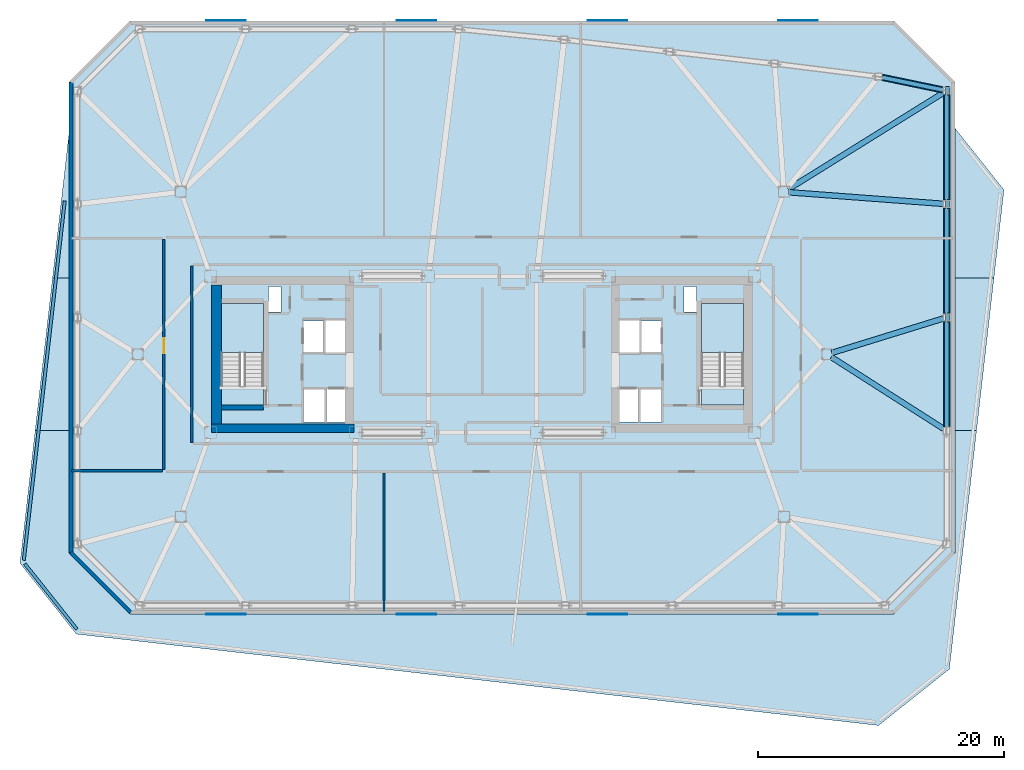
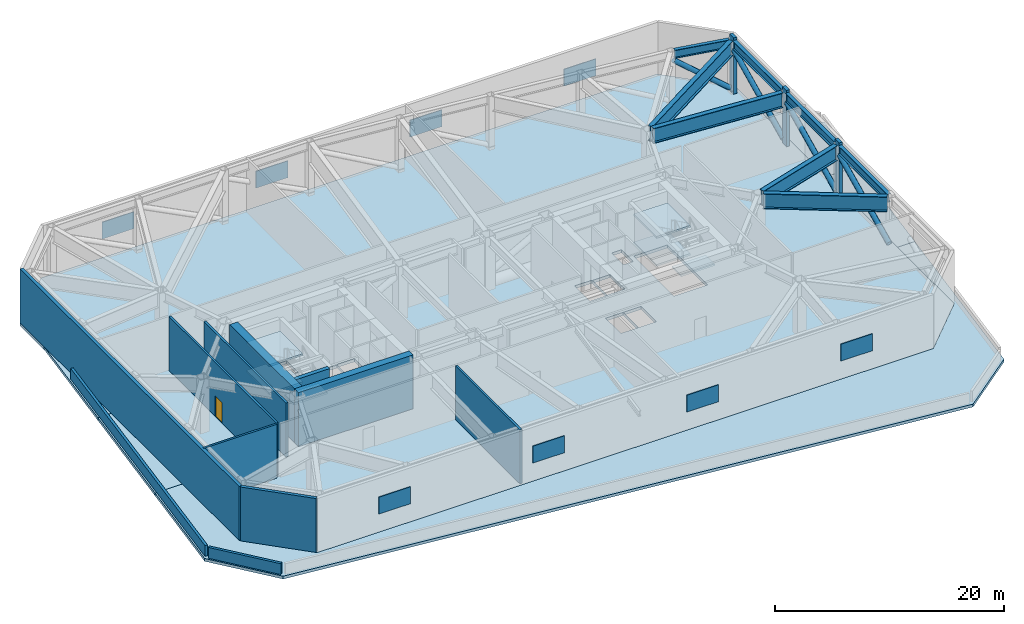
# One storey, part 3 of 12: 12 slabs, 11 walls, 8 beams, 8 plates, 7 members, 1 door, 1 opening, 2 elements without a shape of their own.
"""IFC4 building model written with IfcOpenShell, lengths in metres."""

from ifc_helpers import new_model, si_unit, direction, frame, frame_2d, origin, origin_2d, place, context, subcontext, project, spatial, polyline, rectangle, hollow_circle, i_section, outline, extrude, material, layer, layer_set, material_profile, profile_set, type_object, element, fill, aggregate, save


model = new_model("IFC4")

# Units and contexts
model_context = context("Model", 3, precision=1e-05, world=origin(), true_north=direction((0.0, 1.0)))
body_context = subcontext(model_context, "Body", "Model", "MODEL_VIEW")
ifc_project = project(units=[si_unit("LENGTHUNIT", "METRE"), si_unit("AREAUNIT", "SQUARE_METRE"), si_unit("VOLUMEUNIT", "CUBIC_METRE"), si_unit("PLANEANGLEUNIT", "RADIAN"), si_unit("MASSUNIT", "GRAM", prefix="KILO")], contexts=[model_context])

# Site, building, storey
site_placement = place(None, origin())
site = spatial("IfcSite", under=ifc_project, at=site_placement, CompositionType="ELEMENT")
building_placement = place(site_placement, origin())
building = spatial("IfcBuilding", under=site, at=building_placement, Name="Tavrogorsk Clinical Tower", CompositionType="ELEMENT")
storey_placement = place(building_placement, frame((0.0, 0.0, 146.199951171875)))
storey = spatial("IfcBuildingStorey", under=building, at=storey_placement, Name="L33", CompositionType="ELEMENT", Elevation=146.199951171875)

# Members
ifc_material_1 = material(Name="Structural steel S440", Category="steel")
ifc_material_profile_1 = material_profile(ifc_material_1, hollow_circle(Radius=0.25390625, WallThickness=0.02001953125, at=origin_2d()), Name="CHS-508x20")
ifc_profile_set_1 = profile_set([ifc_material_profile_1], Name="Structural steel S440")
member_type_1 = type_object("IfcMemberType", Name="ExoBrace_CHS508", PredefinedType="BRACE", material=ifc_profile_set_1)
for number, where, z_axis, x_axis, name in (
    (1, (37.719970703125, -5.9326171875, 0.48388671875), (0.0, 0.900797789512, 0.434238808043), (-1.0, 0.0, 0.0), "L33 Exoskeleton Belt Diagonal E2-E3"),
    (2, (37.719970703125, 3.27734375, 0.48388671875), (0.0, 0.900797789512, 0.434238808043), (-1.0, 0.0, 0.0), "L33 Exoskeleton Belt Diagonal E3-E4"),
):
    element("IfcMember", number, at=place(storey_placement, frame(where, z_axis=z_axis, x_axis=x_axis)), inside=storey, type_object=member_type_1, Name=name, PredefinedType="BRACE", context=body_context, shape_type="SweptSolid", body=[
        extrude(hollow_circle(Radius=0.25390625, WallThickness=0.02001953125, at=origin_2d()), origin(), (0.0, 0.0, 1.0), 9.6083984375),
    ])
member_1_placement = place(storey_placement, frame((37.719970703125, 12.487548828125, 0.48388671875), z_axis=(0.0, 0.900792998152, 0.43424874724), x_axis=(-1.0, 0.0, 0.0)))
element("IfcMember", 3, at=member_1_placement, inside=storey, type_object=member_type_1, Name="L33 Exoskeleton Belt Diagonal E4-E5", PredefinedType="BRACE", context=body_context, shape_type="SweptSolid", body=[
    extrude(hollow_circle(Radius=0.25390625, WallThickness=0.02001953125, at=origin_2d()), origin(), (0.0, 0.0, 1.0), 9.608154296875),
])
member_2_placement = place(storey_placement, frame((37.48291015625, 21.46923828125, 0.54052734375), z_axis=(-0.76971294704, 0.159534282749, 0.618134930082), x_axis=(-0.202951231302, -0.979188846808, 0.0)))
element("IfcMember", 4, at=member_2_placement, inside=storey, type_object=member_type_1, Name="L33 Exoskeleton Belt Diagonal E5-N1", PredefinedType="BRACE", context=body_context, shape_type="SweptSolid", body=[
    extrude(hollow_circle(Radius=0.25390625, WallThickness=0.02001953125, at=origin_2d()), origin(), (0.0, 0.0, 1.0), 6.566650390625),
])
ifc_material_2 = material(Name="Precast concrete B45 with limestone cladding", Category="masonry")
ifc_material_profile_2 = material_profile(ifc_material_2, rectangle(XDim=0.320068359375, YDim=0.719970703125, at=origin_2d()), Name="LIMESTONE-FIN-320x720")
ifc_profile_set_2 = profile_set([ifc_material_profile_2], Name="Precast concrete B45 with limestone cladding")
member_type_2 = type_object("IfcMemberType", Name="LimestonePleatFin_320x720", PredefinedType="USERDEFINED", material=ifc_profile_set_2)
for number, where, z_axis, x_axis, name in (
    (5, (37.800048828125, 3.0, 0.0), (0.0, 0.0, 1.0), (1.0, 0.0, 0.0), "L33 E Pleated Stone Fin 2"),
    (6, (37.800048828125, 12.2099609375, 0.0), (0.0, 0.0, 1.0), (1.0, 0.0, 0.0), "L33 E Pleated Stone Fin 3"),
    (7, (37.800048828125, 21.419921875, 0.0), (0.0, 0.0, 1.0), (1.0, 0.0, 0.0), "L33 E Pleated Stone Fin 4"),
):
    element("IfcMember", number, at=place(storey_placement, frame(where, z_axis=z_axis, x_axis=x_axis)), inside=storey, type_object=member_type_2, Name=name, ObjectType="FIN", PredefinedType="USERDEFINED", context=body_context, shape_type="SweptSolid", body=[
        extrude(rectangle(XDim=0.320068359375, YDim=0.719970703125, at=origin_2d()), origin(), (0.0, 0.0, 1.0), 6.0),
    ])

# Beams
ifc_material_3 = material(Name="Structural steel S440", Category="steel")
ifc_material_profile_3 = material_profile(ifc_material_3, i_section(OverallWidth=0.449951171875, OverallDepth=1.60009765625, WebThickness=0.031982421875, FlangeThickness=0.050048828125, at=origin_2d()), Name="DK-1600x450x32x50")
ifc_profile_set_3 = profile_set([ifc_material_profile_3], Name="Structural steel S440")
beam_type_1 = type_object("IfcBeamType", Name="TransferGirder_DK1600", PredefinedType="USERDEFINED", material=ifc_profile_set_3)
beam_1_placement = place(storey_placement, frame((28.345458984375, -0.220703125, 4.93994140625), z_axis=(0.842695406435, -0.538390612821, 0.0), x_axis=(0.538390612821, 0.842695406435, 0.0)))
element("IfcBeam", 8, at=beam_1_placement, inside=storey, type_object=beam_type_1, Name="L33 Radial Floor Beam E2", ObjectType="GIRDER", PredefinedType="USERDEFINED", context=body_context, shape_type="SweptSolid", body=[
    extrude(i_section(OverallWidth=0.449951171875, OverallDepth=1.60009765625, WebThickness=0.031982421875, FlangeThickness=0.050048828125, at=origin_2d()), origin(), (0.0, 0.0, 1.0), 10.81640625),
])
beam_2_placement = place(storey_placement, frame((28.391845703125, 0.120849609375, 4.93994140625), z_axis=(0.955521252098, 0.294922255499, 0.0), x_axis=(-0.294922255499, 0.955521252098, 0.0)))
element("IfcBeam", 9, at=beam_2_placement, inside=storey, type_object=beam_type_1, Name="L33 Radial Floor Beam E3", ObjectType="GIRDER", PredefinedType="USERDEFINED", context=body_context, shape_type="SweptSolid", body=[
    extrude(i_section(OverallWidth=0.449951171875, OverallDepth=1.60009765625, WebThickness=0.031982421875, FlangeThickness=0.050048828125, at=origin_2d()), origin(), (0.0, 0.0, 1.0), 9.454345703125),
])
beam_3_placement = place(storey_placement, frame((24.908935546875, 13.16943359375, 4.93994140625), z_axis=(0.99720685587, -0.074689267009, 0.0), x_axis=(0.074689267009, 0.99720685587, 0.0)))
element("IfcBeam", 10, at=beam_3_placement, inside=storey, type_object=beam_type_1, Name="L33 Radial Floor Beam E4", ObjectType="GIRDER", PredefinedType="USERDEFINED", context=body_context, shape_type="SweptSolid", body=[
    extrude(i_section(OverallWidth=0.449951171875, OverallDepth=1.60009765625, WebThickness=0.031982421875, FlangeThickness=0.050048828125, at=origin_2d()), origin(), (0.0, 0.0, 1.0), 12.538818359375),
])
beam_4_placement = place(storey_placement, frame((24.84814453125, 13.41650390625, 4.93994140625), z_axis=(0.849226346116, 0.528028988846, 0.0), x_axis=(-0.528028988846, 0.849226346116, 0.0)))
element("IfcBeam", 11, at=beam_4_placement, inside=storey, type_object=beam_type_1, Name="L33 Radial Floor Beam E5", ObjectType="GIRDER", PredefinedType="USERDEFINED", context=body_context, shape_type="SweptSolid", body=[
    extrude(i_section(OverallWidth=0.449951171875, OverallDepth=1.60009765625, WebThickness=0.031982421875, FlangeThickness=0.050048828125, at=origin_2d()), origin(), (0.0, 0.0, 1.0), 14.84912109375),
])
ifc_material_4 = material(Name="Structural steel S440", Category="steel")
ifc_material_profile_4 = material_profile(ifc_material_4, i_section(OverallWidth=0.360107421875, OverallDepth=0.89990234375, WebThickness=0.02392578125, FlangeThickness=0.0400390625, at=origin_2d()), Name="DK-900x360x24x40")
ifc_profile_set_4 = profile_set([ifc_material_profile_4], Name="Structural steel S440")
beam_type_2 = type_object("IfcBeamType", Name="TransferGirder_DK900", PredefinedType="USERDEFINED", material=ifc_profile_set_4)
for number, where, z_axis, x_axis, name in (
    (12, (37.719970703125, -5.902099609375, 5.2900390625), (0.0, 1.0, 0.0), (-1.0, 0.0, 0.0), "L33 Perimeter Spandrel E2-E3"),
    (13, (37.719970703125, 3.30810546875, 5.2900390625), (0.0, 1.0, 0.0), (-1.0, 0.0, 0.0), "L33 Perimeter Spandrel E3-E4"),
    (14, (37.719970703125, 12.51806640625, 5.2900390625), (0.0, 1.0, 0.0), (-1.0, 0.0, 0.0), "L33 Perimeter Spandrel E4-E5"),
):
    element("IfcBeam", number, at=place(storey_placement, frame(where, z_axis=z_axis, x_axis=x_axis)), inside=storey, type_object=beam_type_2, Name=name, ObjectType="GIRDER", PredefinedType="USERDEFINED", context=body_context, shape_type="SweptSolid", body=[
        extrude(i_section(OverallWidth=0.360107421875, OverallDepth=0.89990234375, WebThickness=0.02392578125, FlangeThickness=0.0400390625, at=origin_2d()), origin(), (0.0, 0.0, 1.0), 8.593994140625),
    ])
beam_5_placement = place(storey_placement, frame((37.41845703125, 21.482421875, 5.2900390625), z_axis=(-0.979184643877, 0.202971508337, 0.0), x_axis=(-0.202971508337, -0.979184643877, 0.0)))
element("IfcBeam", 15, at=beam_5_placement, inside=storey, type_object=beam_type_2, Name="L33 Perimeter Spandrel E5-N1", ObjectType="GIRDER", PredefinedType="USERDEFINED", context=body_context, shape_type="SweptSolid", body=[
    extrude(i_section(OverallWidth=0.360107421875, OverallDepth=0.89990234375, WebThickness=0.02392578125, FlangeThickness=0.0400390625, at=origin_2d()), origin(), (0.0, 0.0, 1.0), 5.0302734375),
])

# Plates
ifc_material_5 = material(Name="Powder-coated aluminium acoustic louvre", Category="aluminium")
ifc_layer_1 = layer(ifc_material_5, 0.074951171875)
ifc_layer_set_1 = layer_set([ifc_layer_1], Name="Powder-coated aluminium acoustic louvre")
plate_type = type_object("IfcPlateType", Name="AcousticPlantLouvre_75", PredefinedType="SHEET", material=ifc_layer_set_1)
for number, where, z_axis, x_axis, name in (
    (16, (-20.85009765625, -21.1298828125, 1.97021484375), (0.0, 0.0, 1.0), (1.0, 0.0, 0.0), "L33 Plant Acoustic Louvre S-1-1"),
    (17, (-5.35009765625, -21.1298828125, 1.97021484375), (0.0, 0.0, 1.0), (1.0, 0.0, 0.0), "L33 Plant Acoustic Louvre S-1-2"),
    (18, (10.14990234375, -21.1298828125, 1.97021484375), (0.0, 0.0, 1.0), (1.0, 0.0, 0.0), "L33 Plant Acoustic Louvre S-1-3"),
    (19, (25.64990234375, -21.1298828125, 1.97021484375), (0.0, 0.0, 1.0), (1.0, 0.0, 0.0), "L33 Plant Acoustic Louvre S-1-4"),
    (20, (25.64990234375, 27.1298828125, 1.97021484375), (0.0, 0.0, 1.0), (-1.0, 0.0, 0.0), "L33 Plant Acoustic Louvre N-1-1"),
    (21, (10.14990234375, 27.1298828125, 1.97021484375), (0.0, 0.0, 1.0), (-1.0, 0.0, 0.0), "L33 Plant Acoustic Louvre N-1-2"),
    (22, (-5.35009765625, 27.1298828125, 1.97021484375), (0.0, 0.0, 1.0), (-1.0, 0.0, 0.0), "L33 Plant Acoustic Louvre N-1-3"),
    (23, (-20.85009765625, 27.1298828125, 1.97021484375), (0.0, 0.0, 1.0), (-1.0, 0.0, 0.0), "L33 Plant Acoustic Louvre N-1-4"),
):
    element("IfcPlate", number, at=place(storey_placement, frame(where, z_axis=z_axis, x_axis=x_axis)), inside=storey, type_object=plate_type, Name=name, PredefinedType="SHEET", context=body_context, shape_type="SweptSolid", body=[
        extrude(rectangle(XDim=3.199951171875, YDim=0.074951171875, at=origin_2d()), origin(), (0.0, 0.0, 1.0), 1.800048828125),
    ])

# Slabs
ifc_material_6 = material(Name="Concrete B60", Category="concrete")
ifc_layer_2 = layer(ifc_material_6, 0.300048828125)
ifc_layer_set_2 = layer_set([ifc_layer_2], Name="Concrete B60")
slab_type_1 = type_object("IfcSlabType", Name="CrownTopRoofSlab_300", PredefinedType="ROOF", material=ifc_layer_set_2)
slab_1_placement = place(storey_placement, frame((0.0, 0.0, -0.300048828125)))
element("IfcSlab", 24, at=slab_1_placement, inside=storey, type_object=slab_type_1, Name="L33 Setback Roof Slab 1", PredefinedType="ROOF", context=body_context, shape_type="SweptSolid", body=[
    extrude(outline(polyline([(37.93701171875, -25.57568359375), (32.181640625, -30.153564453125), (-32.99658203125, -22.7275390625), (-37.574462890625, -16.972412109375), (-36.34716796875, -6.199951171875), (-33.60009765625, -6.199951171875), (-33.60009765625, -16.10009765625), (-28.60009765625, -21.10009765625), (33.39990234375, -21.10009765625), (38.39990234375, -16.10009765625), (38.39990234375, -6.199951171875), (40.14453125, -6.199951171875), (37.93701171875, -25.57568359375)])), origin(), (0.0, 0.0, 1.0), 0.300048828125),
])
slab_2_placement = place(storey_placement, frame((0.0, 0.0, -0.300048828125)))
element("IfcSlab", 25, at=slab_2_placement, inside=storey, type_object=slab_type_1, Name="L33 Setback Roof Slab 2", PredefinedType="ROOF", context=body_context, shape_type="SweptSolid", body=[
    extrude(outline(polyline([(41.557373046875, 6.199951171875), (38.39990234375, 6.199951171875), (38.39990234375, 18.368896484375), (42.37451171875, 13.372314453125), (41.557373046875, 6.199951171875)])), origin(), (0.0, 0.0, 1.0), 0.300048828125),
])
slab_3_placement = place(storey_placement, frame((0.0, 0.0, -0.300048828125)))
element("IfcSlab", 26, at=slab_3_placement, inside=storey, type_object=slab_type_1, Name="L33 Setback Roof Slab 3", PredefinedType="ROOF", context=body_context, shape_type="SweptSolid", body=[
    extrude(outline(polyline([(-33.60009765625, 17.91162109375), (-33.60009765625, 6.199951171875), (-34.934326171875, 6.199951171875), (-33.60009765625, 17.91162109375)])), origin(), (0.0, 0.0, 1.0), 0.300048828125),
])
slab_4_placement = place(storey_placement, frame((0.0, 0.0, -0.300048828125)))
element("IfcSlab", 27, at=slab_4_placement, inside=storey, type_object=slab_type_1, Name="L33 Setback Roof Slab 4", PredefinedType="ROOF", context=body_context, shape_type="SweptSolid", body=[
    extrude(outline(polyline([(-34.934326171875, 6.199951171875), (-33.60009765625, 6.199951171875), (-33.60009765625, -6.199951171875), (-36.34716796875, -6.199951171875), (-34.934326171875, 6.199951171875)])), origin(), (0.0, 0.0, 1.0), 0.300048828125),
])
slab_5_placement = place(storey_placement, frame((0.0, 0.0, -0.300048828125)))
element("IfcSlab", 28, at=slab_5_placement, inside=storey, type_object=slab_type_1, Name="L33 Setback Roof Slab 5", PredefinedType="ROOF", context=body_context, shape_type="SweptSolid", body=[
    extrude(outline(polyline([(40.14453125, -6.199951171875), (38.39990234375, -6.199951171875), (38.39990234375, 6.199951171875), (41.557373046875, 6.199951171875), (40.14453125, -6.199951171875)])), origin(), (0.0, 0.0, 1.0), 0.300048828125),
])
ifc_material_7 = material(Name="Concrete B60", Category="concrete")
ifc_layer_3 = layer(ifc_material_7, 0.320068359375)
ifc_layer_set_3 = layer_set([ifc_layer_3], Name="Concrete B60")
slab_type_2 = type_object("IfcSlabType", Name="PlantRefugeSlab_320", PredefinedType="FLOOR", material=ifc_layer_set_3)
slab_6_placement = place(storey_placement, frame((0.0, 0.0, -0.320068359375)))
element("IfcSlab", 29, at=slab_6_placement, inside=storey, type_object=slab_type_2, Name="L33 Structural Slab", PredefinedType="FLOOR", context=body_context, shape_type="SweptSolid", body=[
    extrude(outline(polyline([(-28.60009765625, -21.10009765625), (33.39990234375, -21.10009765625), (38.39990234375, -16.10009765625), (38.39990234375, 22.10009765625), (33.39990234375, 27.10009765625), (-28.60009765625, 27.10009765625), (-33.60009765625, 22.10009765625), (-33.60009765625, -16.10009765625), (-28.60009765625, -21.10009765625)]), holes=[polyline([(-17.800048828125, -2.8798828125), (-17.800048828125, 4.125), (-21.199951171875, 4.125), (-21.199951171875, -2.8798828125), (-17.800048828125, -2.8798828125)]), polyline([(21.199951171875, -2.8798828125), (21.199951171875, 4.125), (17.800048828125, 4.125), (17.800048828125, -2.8798828125), (21.199951171875, -2.8798828125)]), polyline([(-14.6201171875, 0.169921875), (-12.860107421875, 0.169921875), (-12.860107421875, 2.72998046875), (-14.6201171875, 2.72998046875), (-14.6201171875, 0.169921875)]), polyline([(-14.530029296875, -5.47998046875), (-12.77001953125, -5.47998046875), (-12.77001953125, -2.820068359375), (-14.530029296875, -2.820068359375), (-14.530029296875, -5.47998046875)]), polyline([(-12.72998046875, -5.47998046875), (-10.969970703125, -5.47998046875), (-10.969970703125, -2.820068359375), (-12.72998046875, -2.820068359375), (-12.72998046875, -5.47998046875)]), polyline([(-12.840087890625, 0.1201171875), (-11.080078125, 0.1201171875), (-11.080078125, 2.780029296875), (-12.840087890625, 2.780029296875), (-12.840087890625, 0.1201171875)]), polyline([(12.860107421875, 0.169921875), (14.6201171875, 0.169921875), (14.6201171875, 2.72998046875), (12.860107421875, 2.72998046875), (12.860107421875, 0.169921875)]), polyline([(12.77001953125, -5.47998046875), (14.530029296875, -5.47998046875), (14.530029296875, -2.820068359375), (12.77001953125, -2.820068359375), (12.77001953125, -5.47998046875)]), polyline([(10.969970703125, -5.47998046875), (12.72998046875, -5.47998046875), (12.72998046875, -2.820068359375), (10.969970703125, -2.820068359375), (10.969970703125, -5.47998046875)]), polyline([(11.080078125, 0.1201171875), (12.840087890625, 0.1201171875), (12.840087890625, 2.780029296875), (11.080078125, 2.780029296875), (11.080078125, 0.1201171875)]), polyline([(-17.3798828125, 3.449951171875), (-16.3798828125, 3.449951171875), (-16.3798828125, 5.5), (-17.3798828125, 5.5), (-17.3798828125, 3.449951171875)]), polyline([(16.3798828125, 3.449951171875), (17.3798828125, 3.449951171875), (17.3798828125, 5.5), (16.3798828125, 5.5), (16.3798828125, 3.449951171875)])]), origin(), (0.0, 0.0, 1.0), 0.320068359375),
])

# Stair, slabs
ifc_material_8 = material(Name="Concrete B60", Category="concrete")
stair_type = type_object("IfcStairType", Name="CoreStairAssembly", PredefinedType="HALF_TURN_STAIR", material=ifc_material_8)
stair_1_placement = place(storey_placement, origin())
stair_1 = element("IfcStair", 30, at=stair_1_placement, inside=storey, type_object=stair_type, Name="L33 ST-W", PredefinedType="HALF_TURN_STAIR")
ifc_material_9 = material(Name="Concrete B60", Category="concrete")
ifc_layer_4 = layer(ifc_material_9, 0.199951171875)
ifc_layer_set_4 = layer_set([ifc_layer_4], Name="Concrete B60")
slab_type_3 = type_object("IfcSlabType", Name="StairLanding_200", PredefinedType="LANDING", material=ifc_layer_set_4)
slab_7_placement = place(storey_placement, frame((0.0, 0.0, 1.300048828125)))
slab_7 = element("IfcSlab", 31, at=slab_7_placement, type_object=slab_type_3, Name="ST-W landing 1", PredefinedType="LANDING", context=body_context, shape_type="SweptSolid", body=[
    extrude(outline(polyline([(-17.800048828125, 0.14501953125), (-17.800048828125, 4.125), (-21.199951171875, 4.125), (-21.199951171875, 0.14501953125), (-17.800048828125, 0.14501953125)])), origin(), (0.0, 0.0, 1.0), 0.199951171875),
])
slab_8_placement = place(storey_placement, frame((0.0, 0.0, 2.800048828125)))
slab_8 = element("IfcSlab", 32, at=slab_8_placement, type_object=slab_type_3, Name="ST-W landing 2", PredefinedType="LANDING", context=body_context, shape_type="SweptSolid", body=[
    extrude(outline(polyline([(-17.800048828125, -4.125), (-17.800048828125, -2.574951171875), (-21.199951171875, -2.574951171875), (-21.199951171875, -4.125), (-17.800048828125, -4.125)])), origin(), (0.0, 0.0, 1.0), 0.199951171875),
])
slab_9_placement = place(storey_placement, frame((0.0, 0.0, 4.300048828125)))
slab_9 = element("IfcSlab", 33, at=slab_9_placement, type_object=slab_type_3, Name="ST-W landing 3", PredefinedType="LANDING", context=body_context, shape_type="SweptSolid", body=[
    extrude(outline(polyline([(-17.800048828125, 0.14501953125), (-17.800048828125, 4.125), (-21.199951171875, 4.125), (-21.199951171875, 0.14501953125), (-17.800048828125, 0.14501953125)])), origin(), (0.0, 0.0, 1.0), 0.199951171875),
])
aggregate(stair_1, [slab_7, slab_8, slab_9])

stair_2_placement = place(storey_placement, origin())
stair_2 = element("IfcStair", 34, at=stair_2_placement, inside=storey, type_object=stair_type, Name="L33 ST-E", PredefinedType="HALF_TURN_STAIR")
slab_10_placement = place(storey_placement, frame((0.0, 0.0, 1.300048828125)))
slab_10 = element("IfcSlab", 35, at=slab_10_placement, type_object=slab_type_3, Name="ST-E landing 1", PredefinedType="LANDING", context=body_context, shape_type="SweptSolid", body=[
    extrude(outline(polyline([(21.199951171875, 0.14501953125), (21.199951171875, 4.125), (17.800048828125, 4.125), (17.800048828125, 0.14501953125), (21.199951171875, 0.14501953125)])), origin(), (0.0, 0.0, 1.0), 0.199951171875),
])
slab_11_placement = place(storey_placement, frame((0.0, 0.0, 2.800048828125)))
slab_11 = element("IfcSlab", 36, at=slab_11_placement, type_object=slab_type_3, Name="ST-E landing 2", PredefinedType="LANDING", context=body_context, shape_type="SweptSolid", body=[
    extrude(outline(polyline([(21.199951171875, -4.125), (21.199951171875, -2.574951171875), (17.800048828125, -2.574951171875), (17.800048828125, -4.125), (21.199951171875, -4.125)])), origin(), (0.0, 0.0, 1.0), 0.199951171875),
])
slab_12_placement = place(storey_placement, frame((0.0, 0.0, 4.300048828125)))
slab_12 = element("IfcSlab", 37, at=slab_12_placement, type_object=slab_type_3, Name="ST-E landing 3", PredefinedType="LANDING", context=body_context, shape_type="SweptSolid", body=[
    extrude(outline(polyline([(21.199951171875, 0.14501953125), (21.199951171875, 4.125), (17.800048828125, 4.125), (17.800048828125, 0.14501953125), (21.199951171875, 0.14501953125)])), origin(), (0.0, 0.0, 1.0), 0.199951171875),
])
aggregate(stair_2, [slab_10, slab_11, slab_12])

# Wall, opening, door
ifc_material_10 = material(Name="Concrete B60", Category="concrete")
ifc_layer_5 = layer(ifc_material_10, 0.199951171875)
ifc_layer_set_5 = layer_set([ifc_layer_5], Name="Concrete B60")
wall_type_1 = type_object("IfcWallType", Name="CoreFireWall_200", PredefinedType="SOLIDWALL", material=ifc_layer_set_5)
wall_1_placement = place(storey_placement, frame((-25.8798828125, -9.344970703125, 0.0), z_axis=(0.0, 0.0, 1.0), x_axis=(0.0, 1.0, 0.0)))
wall_1 = element("IfcWall", 38, at=wall_1_placement, inside=storey, type_object=wall_type_1, Name="L33 Refuge Corridor Fire Wall 01", PredefinedType="SOLIDWALL", context=body_context, shape_type="SweptSolid", body=[
    extrude(rectangle(XDim=18.68994140625, YDim=0.199951171875, at=frame_2d((9.344970703125, 0.0))), origin(), (0.0, 0.0, 1.0), 5.739990234375),
])
opening_placement = place(wall_1_placement, frame((9.449951171875, 0.0, 0.0)))
opening = element("IfcOpeningElement", 39, at=opening_placement, cuts=wall_1, Name="Opening FD-01", PredefinedType="OPENING", context=body_context, shape_type="SweptSolid", body=[
    extrude(rectangle(XDim=1.199951171875, YDim=2.199951171875, at=frame_2d((0.60009765625, 1.10009765625))), frame((0.0, 0.10986328125, 0.0), z_axis=(0.0, -1.0, 0.0), x_axis=(1.0, 0.0, 0.0)), (0.0, 0.0, 1.0), 0.219970703125),
])
ifc_material_11 = material(Name="Galvanised steel fire-rated door assembly", Category="steel")
door_type = type_object("IfcDoorType", Name="FireDoor_FD01_1200", OperationType="NOTDEFINED", PredefinedType="DOOR", material=ifc_material_11)
door_placement = place(opening_placement, origin())
door = element("IfcDoor", 40, at=door_placement, inside=storey, type_object=door_type, Name="L33 Smoke Extract & Damper Plenum West Fire Door", OperationType="SINGLE_SWING_LEFT", OverallHeight=2.199951171875, OverallWidth=1.199951171875, PredefinedType="DOOR", context=body_context, shape_type="SweptSolid", body=[
    extrude(rectangle(XDim=1.199951171875, YDim=2.199951171875, at=frame_2d((0.60009765625, 1.10009765625))), frame((0.0, 0.02490234375, 0.0), z_axis=(0.0, -1.0, 0.0), x_axis=(1.0, 0.0, 0.0)), (0.0, 0.0, 1.0), 0.050048828125),
])
fill(opening, door)

# Walls
wall_2_placement = place(storey_placement, frame((-23.6201171875, 7.1650390625, 0.0), z_axis=(0.0, 0.0, 1.0), x_axis=(0.0, -1.0, 0.0)))
element("IfcWall", 41, at=wall_2_placement, inside=storey, type_object=wall_type_1, Name="L33 Refuge Corridor Fire Wall 21", PredefinedType="SOLIDWALL", context=body_context, shape_type="SweptSolid", body=[
    extrude(rectangle(XDim=14.330078125, YDim=0.199951171875, at=frame_2d((7.1650390625, 0.0))), origin(), (0.0, 0.0, 1.0), 5.739990234375),
])
wall_3_placement = place(storey_placement, frame((-33.3798828125, -9.449951171875, 0.0), z_axis=(0.0, 0.0, 1.0), x_axis=(1.0, 0.0, 0.0)))
element("IfcWall", 42, at=wall_3_placement, inside=storey, type_object=wall_type_1, Name="L33 Refuge & Plant Fire Wall 1", PredefinedType="SOLIDWALL", context=body_context, shape_type="SweptSolid", body=[
    extrude(rectangle(XDim=7.394775390625, YDim=0.199951171875, at=frame_2d((3.697265625, 0.0))), origin(), (0.0, 0.0, 1.0), 5.739990234375),
])
wall_4_placement = place(storey_placement, frame((-8.0, -20.8798828125, 0.0), z_axis=(0.0, 0.0, 1.0), x_axis=(0.0, 1.0, 0.0)))
element("IfcWall", 43, at=wall_4_placement, inside=storey, type_object=wall_type_1, Name="L33 Refuge & Plant Fire Wall 5", PredefinedType="SOLIDWALL", context=body_context, shape_type="SweptSolid", body=[
    extrude(rectangle(XDim=11.244873046875, YDim=0.199951171875, at=frame_2d((5.62255859375, 0.0))), origin(), (0.0, 0.0, 1.0), 5.739990234375),
])
ifc_material_12 = material(Name="Precast concrete B45 acoustic plenum wall", Category="concrete")
ifc_layer_6 = layer(ifc_material_12, 0.320068359375)
ifc_layer_set_6 = layer_set([ifc_layer_6], Name="Precast concrete B45 acoustic plenum wall")
wall_type_2 = type_object("IfcWallType", Name="PlantLouvreWall_320", PredefinedType="STANDARD", material=ifc_layer_set_6)
wall_5_placement = place(storey_placement, frame((-33.43994140625, 22.10009765625, 0.0), z_axis=(0.0, 0.0, 1.0), x_axis=(0.0, -1.0, 0.0)))
element("IfcWall", 44, at=wall_5_placement, inside=storey, type_object=wall_type_2, Name="L33 W Pleated Limestone Wing Wall", PredefinedType="STANDARD", context=body_context, shape_type="SweptSolid", body=[
    extrude(rectangle(XDim=38.2001953125, YDim=0.320068359375, at=frame_2d((19.10009765625, 0.0))), origin(), (0.0, 0.0, 1.0), 5.739990234375),
])
ifc_material_13 = material(Name="Concrete B60", Category="concrete")
ifc_layer_7 = layer(ifc_material_13, 0.25)
ifc_layer_set_7 = layer_set([ifc_layer_7], Name="Concrete B60")
wall_type_3 = type_object("IfcWallType", Name="RoofParapetWall_250", PredefinedType="PARAPET", material=ifc_layer_set_7)
wall_6_placement = place(storey_placement, frame((-32.94921875, -22.337158203125, 0.0), z_axis=(0.0, 0.0, 1.0), x_axis=(-0.622521567369, 0.782602643849, 0.0)))
element("IfcWall", 45, at=wall_6_placement, inside=storey, type_object=wall_type_3, Name="L33 Setback Coping Parapet 1", PredefinedType="PARAPET", context=body_context, shape_type="SweptSolid", body=[
    extrude(rectangle(XDim=6.802001953125, YDim=0.25, at=frame_2d((3.40087890625, 0.0))), origin(), (0.0, 0.0, 1.0), 1.150146484375),
])
wall_7_placement = place(storey_placement, frame((-37.26513671875, -16.729736328125, 0.0), z_axis=(0.0, 0.0, 1.0), x_axis=(0.113209213107, 0.99357117212, 0.0)))
element("IfcWall", 46, at=wall_7_placement, inside=storey, type_object=wall_type_3, Name="L33 Setback Coping Parapet 2", PredefinedType="PARAPET", context=body_context, shape_type="SweptSolid", body=[
    extrude(rectangle(XDim=29.389404296875, YDim=0.25, at=frame_2d((14.69482421875, 0.0))), origin(), (0.0, 0.0, 1.0), 1.150146484375),
])
ifc_material_14 = material(Name="Concrete B80", Category="concrete")
ifc_layer_8 = layer(ifc_material_14, 0.39990234375)
ifc_layer_set_8 = layer_set([ifc_layer_8], Name="Concrete B80")
wall_type_4 = type_object("IfcWallType", Name="ShearWall_400", PredefinedType="SHEAR", material=ifc_layer_set_8)
wall_8_placement = place(storey_placement, frame((-21.199951171875, -4.324951171875, 0.0), z_axis=(0.0, 0.0, 1.0), x_axis=(1.0, 0.0, 0.0)))
element("IfcWall", 47, at=wall_8_placement, inside=storey, type_object=wall_type_4, Name="L33 Core West Stair Shaft South Shear Wall", PredefinedType="SHEAR", context=body_context, shape_type="SweptSolid", body=[
    extrude(rectangle(XDim=3.39990234375, YDim=0.39990234375, at=frame_2d((1.699951171875, 0.0))), origin(), (0.0, 0.0, 1.0), 5.739990234375),
])
ifc_material_15 = material(Name="Concrete B80", Category="concrete")
ifc_layer_9 = layer(ifc_material_15, 0.699951171875)
ifc_layer_set_9 = layer_set([ifc_layer_9], Name="Concrete B80")
wall_type_5 = type_object("IfcWallType", Name="ShearWall_700", PredefinedType="SHEAR", material=ifc_layer_set_9)
wall_9_placement = place(storey_placement, frame((-22.0, -6.0, 0.0), z_axis=(0.0, 0.0, 1.0), x_axis=(1.0, 0.0, 0.0)))
element("IfcWall", 48, at=wall_9_placement, inside=storey, type_object=wall_type_5, Name="L33 Core West South Shear Wall", PredefinedType="SHEAR", context=body_context, shape_type="SweptSolid", body=[
    extrude(rectangle(XDim=11.550048828125, YDim=0.699951171875, at=frame_2d((5.77490234375, 0.0))), origin(), (0.0, 0.0, 1.0), 5.739990234375),
])
ifc_material_16 = material(Name="Concrete B80", Category="concrete")
ifc_layer_10 = layer(ifc_material_16, 0.800048828125)
ifc_layer_set_10 = layer_set([ifc_layer_10], Name="Concrete B80")
wall_type_6 = type_object("IfcWallType", Name="ShearWall_800", PredefinedType="SHEAR", material=ifc_layer_set_10)
wall_10_placement = place(storey_placement, frame((-21.60009765625, -5.64990234375, 0.0), z_axis=(0.0, 0.0, 1.0), x_axis=(0.0, 1.0, 0.0)))
element("IfcWall", 49, at=wall_10_placement, inside=storey, type_object=wall_type_6, Name="L33 Core West End Shear Wall", PredefinedType="SHEAR", context=body_context, shape_type="SweptSolid", body=[
    extrude(rectangle(XDim=11.2998046875, YDim=0.800048828125, at=frame_2d((5.64990234375, 0.0))), origin(), (0.0, 0.0, 1.0), 5.739990234375),
])
ifc_material_17 = material(Name="Precast concrete B45 with mineral wool", Category="concrete")
ifc_layer_11 = layer(ifc_material_17, 0.300048828125)
ifc_layer_set_11 = layer_set([ifc_layer_11], Name="Precast concrete B45 with mineral wool")
wall_type_7 = type_object("IfcWallType", Name="SpandrelBackWall_300", PredefinedType="STANDARD", material=ifc_layer_set_11)
wall_11_placement = place(storey_placement, frame((-33.43994140625, -16.10009765625, 0.0), z_axis=(0.0, 0.0, 1.0), x_axis=(0.707106781187, -0.707106781187, 0.0)))
element("IfcWall", 50, at=wall_11_placement, inside=storey, type_object=wall_type_7, Name="L33 Chamfered Corner Wall 4", PredefinedType="STANDARD", context=body_context, shape_type="SweptSolid", body=[
    extrude(rectangle(XDim=6.844482421875, YDim=0.300048828125, at=frame_2d((3.42236328125, 0.0))), origin(), (0.0, 0.0, 1.0), 5.739990234375),
])

save(model, "model.ifc")
